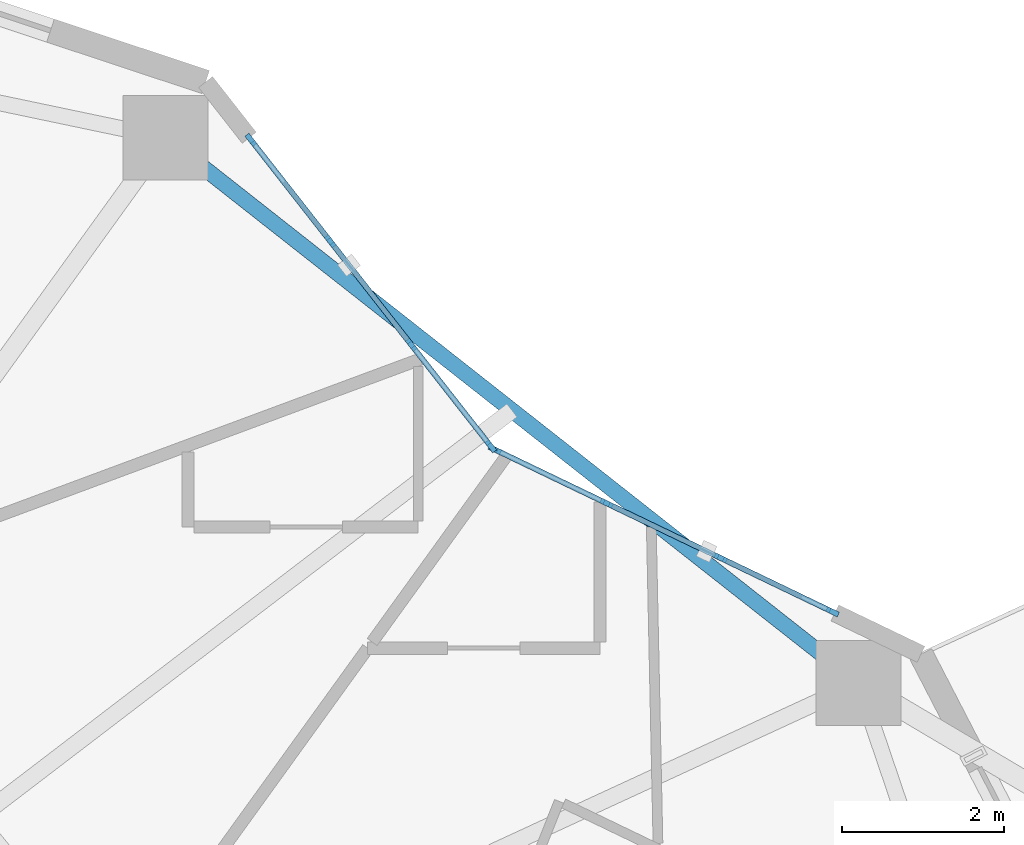
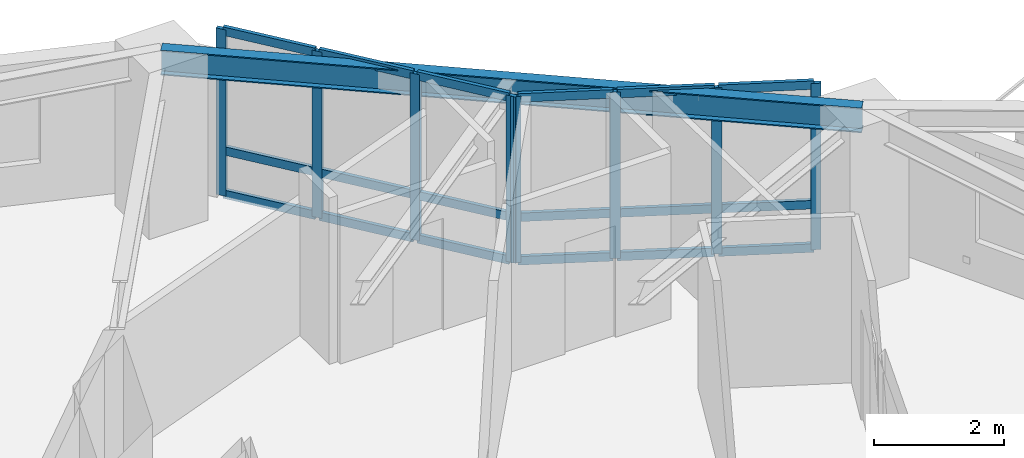
# One storey, part 4 of 15: 26 members, 1 beam, 2 elements without a shape of their own.
"""IFC4 building model written with IfcOpenShell, lengths in metres."""

from ifc_helpers import new_model, si_unit, direction, frame, origin, origin_2d, place, context, subcontext, project, spatial, rectangle, i_section, extrude, material, layer, layer_set, material_profile, profile_set, type_object, element, aggregate, save


model = new_model("IFC4")

# Units and contexts
model_context = context("Model", 3, precision=1e-05, world=origin(), true_north=direction((0.0, 1.0)))
body_context = subcontext(model_context, "Body", "Model", "MODEL_VIEW")
ifc_project = project(units=[si_unit("LENGTHUNIT", "METRE"), si_unit("AREAUNIT", "SQUARE_METRE"), si_unit("VOLUMEUNIT", "CUBIC_METRE"), si_unit("PLANEANGLEUNIT", "RADIAN"), si_unit("MASSUNIT", "GRAM", prefix="KILO")], contexts=[model_context])

# Site, building, storey
site_placement = place(None, origin())
site = spatial("IfcSite", under=ifc_project, at=site_placement, CompositionType="ELEMENT")
building_placement = place(site_placement, origin())
building = spatial("IfcBuilding", under=site, at=building_placement, Name="Kolvaren Gate Tower and Convention Centre", CompositionType="ELEMENT")
storey_placement = place(building_placement, frame((0.0, 0.0, 129.10009765625)))
storey = spatial("IfcBuildingStorey", under=building, at=storey_placement, Name="L32", CompositionType="ELEMENT", Elevation=129.10009765625)

# Curtain wall, members
ifc_material_1 = material(Name="Anodized Architectural Aluminium Alloy 6063-T6", Category="aluminium")
ifc_layer = layer(ifc_material_1, 0.159912109375)
ifc_layer_set = layer_set([ifc_layer], Name="Anodized Architectural Aluminium Alloy 6063-T6")
curtain_wall_type = type_object("IfcCurtainWallType", Name="CW-HTL-UNIT", PredefinedType="NOTDEFINED", material=ifc_layer_set)
curtain_wall_1_placement = place(storey_placement, origin())
curtain_wall_1 = element("IfcCurtainWall", 1, at=curtain_wall_1_placement, inside=storey, type_object=curtain_wall_type, Name="Tower L32 Unitised Curtain Wall CW-HTL-UNIT Bay 02", PredefinedType="NOTDEFINED")
ifc_material_profile_1 = material_profile(ifc_material_1, rectangle(XDim=0.06494140625, YDim=0.159912109375, at=origin_2d()), Name="CW-MEM-MUL-160")
ifc_profile_set_1 = profile_set([ifc_material_profile_1], Name="Anodized Architectural Aluminium Alloy 6063-T6")
member_type_1 = type_object("IfcMemberType", Name="CW-MEM-MUL-160", PredefinedType="MULLION", material=ifc_profile_set_1)
member_1_placement = place(storey_placement, frame((45.798095703125, 39.208984375, 0.0), z_axis=(0.0, 0.0, 1.0), x_axis=(0.433070515205, 0.901360043967, 0.0)))
member_1 = element("IfcMember", 2, at=member_1_placement, type_object=member_type_1, Name="CW-03 mullion 1", PredefinedType="MULLION", context=body_context, shape_type="SweptSolid", body=[
    extrude(rectangle(XDim=0.06494140625, YDim=0.159912109375, at=origin_2d()), origin(), (0.0, 0.0, 1.0), 3.1298828125),
])
member_2_placement = place(storey_placement, frame((47.181396484375, 38.544189453125, 0.0), z_axis=(0.0, 0.0, 1.0), x_axis=(0.433070515205, 0.901360043967, 0.0)))
member_2 = element("IfcMember", 3, at=member_2_placement, type_object=member_type_1, Name="CW-03 mullion 2", PredefinedType="MULLION", context=body_context, shape_type="SweptSolid", body=[
    extrude(rectangle(XDim=0.06494140625, YDim=0.159912109375, at=origin_2d()), origin(), (0.0, 0.0, 1.0), 3.1298828125),
])
member_3_placement = place(storey_placement, frame((48.59423828125, 37.865478515625, 0.0), z_axis=(0.0, 0.0, 1.0), x_axis=(0.433070515205, 0.901360043967, 0.0)))
member_3 = element("IfcMember", 4, at=member_3_placement, type_object=member_type_1, Name="CW-03 mullion 3", PredefinedType="MULLION", context=body_context, shape_type="SweptSolid", body=[
    extrude(rectangle(XDim=0.06494140625, YDim=0.159912109375, at=origin_2d()), origin(), (0.0, 0.0, 1.0), 3.1298828125),
])
member_4_placement = place(storey_placement, frame((49.9775390625, 37.20068359375, 0.0), z_axis=(0.0, 0.0, 1.0), x_axis=(0.433070515205, 0.901360043967, 0.0)))
member_4 = element("IfcMember", 5, at=member_4_placement, type_object=member_type_1, Name="CW-03 mullion 4", PredefinedType="MULLION", context=body_context, shape_type="SweptSolid", body=[
    extrude(rectangle(XDim=0.06494140625, YDim=0.159912109375, at=origin_2d()), origin(), (0.0, 0.0, 1.0), 3.1298828125),
])

curtain_wall_2_placement = place(storey_placement, origin())
curtain_wall_2 = element("IfcCurtainWall", 6, at=curtain_wall_2_placement, inside=storey, type_object=curtain_wall_type, Name="Tower L32 Unitised Curtain Wall CW-HTL-UNIT Bay 03", PredefinedType="NOTDEFINED")
member_5_placement = place(storey_placement, frame((42.77880859375, 43.042236328125, 0.0), z_axis=(0.0, 0.0, 1.0), x_axis=(0.787412940513, 0.616425876414, 0.0)))
member_5 = element("IfcMember", 7, at=member_5_placement, type_object=member_type_1, Name="CW-03 mullion 1", PredefinedType="MULLION", context=body_context, shape_type="SweptSolid", body=[
    extrude(rectangle(XDim=0.06494140625, YDim=0.159912109375, at=origin_2d()), origin(), (0.0, 0.0, 1.0), 3.1298828125),
])
member_6_placement = place(storey_placement, frame((43.76220703125, 41.7861328125, 0.0), z_axis=(0.0, 0.0, 1.0), x_axis=(0.787412940513, 0.616425876414, 0.0)))
member_6 = element("IfcMember", 8, at=member_6_placement, type_object=member_type_1, Name="CW-03 mullion 2", PredefinedType="MULLION", context=body_context, shape_type="SweptSolid", body=[
    extrude(rectangle(XDim=0.06494140625, YDim=0.159912109375, at=origin_2d()), origin(), (0.0, 0.0, 1.0), 3.1298828125),
])
member_7_placement = place(storey_placement, frame((44.765380859375, 40.504638671875, 0.0), z_axis=(0.0, 0.0, 1.0), x_axis=(0.787412940513, 0.616425876414, 0.0)))
member_7 = element("IfcMember", 9, at=member_7_placement, type_object=member_type_1, Name="CW-03 mullion 3", PredefinedType="MULLION", context=body_context, shape_type="SweptSolid", body=[
    extrude(rectangle(XDim=0.06494140625, YDim=0.159912109375, at=origin_2d()), origin(), (0.0, 0.0, 1.0), 3.1298828125),
])
member_8_placement = place(storey_placement, frame((45.748779296875, 39.24853515625, 0.0), z_axis=(0.0, 0.0, 1.0), x_axis=(0.787412940513, 0.616425876414, 0.0)))
member_8 = element("IfcMember", 10, at=member_8_placement, type_object=member_type_1, Name="CW-03 mullion 4", PredefinedType="MULLION", context=body_context, shape_type="SweptSolid", body=[
    extrude(rectangle(XDim=0.06494140625, YDim=0.159912109375, at=origin_2d()), origin(), (0.0, 0.0, 1.0), 3.1298828125),
])

# Member
ifc_material_profile_2 = material_profile(ifc_material_1, rectangle(XDim=0.06494140625, YDim=0.159912109375, at=origin_2d()), Name="CW-MEM-TRN-160")
ifc_profile_set_2 = profile_set([ifc_material_profile_2], Name="Anodized Architectural Aluminium Alloy 6063-T6")
member_type_2 = type_object("IfcMemberType", Name="CW-MEM-TRN-160", PredefinedType="USERDEFINED", material=ifc_profile_set_2)
member_9_placement = place(storey_placement, frame((45.827392578125, 39.19482421875, 0.032470703125), z_axis=(0.901359682886, -0.433071266731, 0.0), x_axis=(0.433071266731, 0.901359682886, 0.0)))
member_9 = element("IfcMember", 11, at=member_9_placement, type_object=member_type_2, Name="CW-03 transom 1.1", ObjectType="TRANSOM", PredefinedType="USERDEFINED", context=body_context, shape_type="SweptSolid", body=[
    extrude(rectangle(XDim=0.06494140625, YDim=0.159912109375, at=origin_2d()), origin(), (0.0, 0.0, 1.0), 1.4697265625),
])

member_10_placement = place(storey_placement, frame((45.827392578125, 39.19482421875, 0.849853515625), z_axis=(0.901359682886, -0.433071266731, 0.0), x_axis=(0.433071266731, 0.901359682886, 0.0)))
member_10 = element("IfcMember", 12, at=member_10_placement, type_object=member_type_2, Name="CW-03 transom 1.2", ObjectType="TRANSOM", PredefinedType="USERDEFINED", context=body_context, shape_type="SweptSolid", body=[
    extrude(rectangle(XDim=0.06494140625, YDim=0.159912109375, at=origin_2d()), origin(), (0.0, 0.0, 1.0), 1.4697265625),
])

member_11_placement = place(storey_placement, frame((45.827392578125, 39.19482421875, 3.097412109375), z_axis=(0.901359682886, -0.433071266731, 0.0), x_axis=(0.433071266731, 0.901359682886, 0.0)))
member_11 = element("IfcMember", 13, at=member_11_placement, type_object=member_type_2, Name="CW-03 transom 1.3", ObjectType="TRANSOM", PredefinedType="USERDEFINED", context=body_context, shape_type="SweptSolid", body=[
    extrude(rectangle(XDim=0.06494140625, YDim=0.159912109375, at=origin_2d()), origin(), (0.0, 0.0, 1.0), 1.4697265625),
])

member_12_placement = place(storey_placement, frame((47.210693359375, 38.5302734375, 0.032470703125), z_axis=(0.901368321762, -0.43305328601, 0.0), x_axis=(0.43305328601, 0.901368321762, 0.0)))
member_12 = element("IfcMember", 14, at=member_12_placement, type_object=member_type_2, Name="CW-03 transom 2.1", ObjectType="TRANSOM", PredefinedType="USERDEFINED", context=body_context, shape_type="SweptSolid", body=[
    extrude(rectangle(XDim=0.06494140625, YDim=0.159912109375, at=origin_2d()), origin(), (0.0, 0.0, 1.0), 1.50244140625),
])

member_13_placement = place(storey_placement, frame((47.210693359375, 38.5302734375, 0.849853515625), z_axis=(0.901368321762, -0.43305328601, 0.0), x_axis=(0.43305328601, 0.901368321762, 0.0)))
member_13 = element("IfcMember", 15, at=member_13_placement, type_object=member_type_2, Name="CW-03 transom 2.2", ObjectType="TRANSOM", PredefinedType="USERDEFINED", context=body_context, shape_type="SweptSolid", body=[
    extrude(rectangle(XDim=0.06494140625, YDim=0.159912109375, at=origin_2d()), origin(), (0.0, 0.0, 1.0), 1.50244140625),
])

member_14_placement = place(storey_placement, frame((47.210693359375, 38.5302734375, 3.097412109375), z_axis=(0.901368321762, -0.43305328601, 0.0), x_axis=(0.43305328601, 0.901368321762, 0.0)))
member_14 = element("IfcMember", 16, at=member_14_placement, type_object=member_type_2, Name="CW-03 transom 2.3", ObjectType="TRANSOM", PredefinedType="USERDEFINED", context=body_context, shape_type="SweptSolid", body=[
    extrude(rectangle(XDim=0.06494140625, YDim=0.159912109375, at=origin_2d()), origin(), (0.0, 0.0, 1.0), 1.50244140625),
])

member_15_placement = place(storey_placement, frame((48.62353515625, 37.851318359375, 0.032470703125), z_axis=(0.901359682886, -0.433071266731, 0.0), x_axis=(0.433071266731, 0.901359682886, 0.0)))
member_15 = element("IfcMember", 17, at=member_15_placement, type_object=member_type_2, Name="CW-03 transom 3.1", ObjectType="TRANSOM", PredefinedType="USERDEFINED", context=body_context, shape_type="SweptSolid", body=[
    extrude(rectangle(XDim=0.06494140625, YDim=0.159912109375, at=origin_2d()), origin(), (0.0, 0.0, 1.0), 1.4697265625),
])

member_16_placement = place(storey_placement, frame((48.62353515625, 37.851318359375, 0.849853515625), z_axis=(0.901359682886, -0.433071266731, 0.0), x_axis=(0.433071266731, 0.901359682886, 0.0)))
member_16 = element("IfcMember", 18, at=member_16_placement, type_object=member_type_2, Name="CW-03 transom 3.2", ObjectType="TRANSOM", PredefinedType="USERDEFINED", context=body_context, shape_type="SweptSolid", body=[
    extrude(rectangle(XDim=0.06494140625, YDim=0.159912109375, at=origin_2d()), origin(), (0.0, 0.0, 1.0), 1.4697265625),
])

member_17_placement = place(storey_placement, frame((48.62353515625, 37.851318359375, 3.097412109375), z_axis=(0.901359682886, -0.433071266731, 0.0), x_axis=(0.433071266731, 0.901359682886, 0.0)))
member_17 = element("IfcMember", 19, at=member_17_placement, type_object=member_type_2, Name="CW-03 transom 3.3", ObjectType="TRANSOM", PredefinedType="USERDEFINED", context=body_context, shape_type="SweptSolid", body=[
    extrude(rectangle(XDim=0.06494140625, YDim=0.159912109375, at=origin_2d()), origin(), (0.0, 0.0, 1.0), 1.4697265625),
])

aggregate(curtain_wall_1, [member_1, member_2, member_3, member_4, member_9, member_10, member_11, member_12, member_13, member_14, member_15, member_16, member_17])

member_18_placement = place(storey_placement, frame((42.798828125, 43.0166015625, 0.032470703125), z_axis=(0.616488928006, -0.78736357653, 0.0), x_axis=(0.78736357653, 0.616488928006, 0.0)))
member_18 = element("IfcMember", 20, at=member_18_placement, type_object=member_type_2, Name="CW-03 transom 1.1", ObjectType="TRANSOM", PredefinedType="USERDEFINED", context=body_context, shape_type="SweptSolid", body=[
    extrude(rectangle(XDim=0.06494140625, YDim=0.159912109375, at=origin_2d()), origin(), (0.0, 0.0, 1.0), 1.5302734375),
])

member_19_placement = place(storey_placement, frame((42.798828125, 43.0166015625, 0.849853515625), z_axis=(0.616488928006, -0.78736357653, 0.0), x_axis=(0.78736357653, 0.616488928006, 0.0)))
member_19 = element("IfcMember", 21, at=member_19_placement, type_object=member_type_2, Name="CW-03 transom 1.2", ObjectType="TRANSOM", PredefinedType="USERDEFINED", context=body_context, shape_type="SweptSolid", body=[
    extrude(rectangle(XDim=0.06494140625, YDim=0.159912109375, at=origin_2d()), origin(), (0.0, 0.0, 1.0), 1.5302734375),
])

member_20_placement = place(storey_placement, frame((42.798828125, 43.0166015625, 3.097412109375), z_axis=(0.616488928006, -0.78736357653, 0.0), x_axis=(0.78736357653, 0.616488928006, 0.0)))
member_20 = element("IfcMember", 22, at=member_20_placement, type_object=member_type_2, Name="CW-03 transom 1.3", ObjectType="TRANSOM", PredefinedType="USERDEFINED", context=body_context, shape_type="SweptSolid", body=[
    extrude(rectangle(XDim=0.06494140625, YDim=0.159912109375, at=origin_2d()), origin(), (0.0, 0.0, 1.0), 1.5302734375),
])

member_21_placement = place(storey_placement, frame((43.7822265625, 41.760498046875, 0.032470703125), z_axis=(0.616447292669, -0.787396174337, 0.0), x_axis=(0.787396174337, 0.616447292669, 0.0)))
member_21 = element("IfcMember", 23, at=member_21_placement, type_object=member_type_2, Name="CW-03 transom 2.1", ObjectType="TRANSOM", PredefinedType="USERDEFINED", context=body_context, shape_type="SweptSolid", body=[
    extrude(rectangle(XDim=0.06494140625, YDim=0.159912109375, at=origin_2d()), origin(), (0.0, 0.0, 1.0), 1.5625),
])

member_22_placement = place(storey_placement, frame((43.7822265625, 41.760498046875, 0.849853515625), z_axis=(0.616447292669, -0.787396174337, 0.0), x_axis=(0.787396174337, 0.616447292669, 0.0)))
member_22 = element("IfcMember", 24, at=member_22_placement, type_object=member_type_2, Name="CW-03 transom 2.2", ObjectType="TRANSOM", PredefinedType="USERDEFINED", context=body_context, shape_type="SweptSolid", body=[
    extrude(rectangle(XDim=0.06494140625, YDim=0.159912109375, at=origin_2d()), origin(), (0.0, 0.0, 1.0), 1.5625),
])

member_23_placement = place(storey_placement, frame((43.7822265625, 41.760498046875, 3.097412109375), z_axis=(0.616447292669, -0.787396174337, 0.0), x_axis=(0.787396174337, 0.616447292669, 0.0)))
member_23 = element("IfcMember", 25, at=member_23_placement, type_object=member_type_2, Name="CW-03 transom 2.3", ObjectType="TRANSOM", PredefinedType="USERDEFINED", context=body_context, shape_type="SweptSolid", body=[
    extrude(rectangle(XDim=0.06494140625, YDim=0.159912109375, at=origin_2d()), origin(), (0.0, 0.0, 1.0), 1.5625),
])

member_24_placement = place(storey_placement, frame((44.785400390625, 40.47900390625, 0.032470703125), z_axis=(0.61639000373, -0.78744102211, 0.0), x_axis=(0.78744102211, 0.61639000373, 0.0)))
member_24 = element("IfcMember", 26, at=member_24_placement, type_object=member_type_2, Name="CW-03 transom 3.1", ObjectType="TRANSOM", PredefinedType="USERDEFINED", context=body_context, shape_type="SweptSolid", body=[
    extrude(rectangle(XDim=0.06494140625, YDim=0.159912109375, at=origin_2d()), origin(), (0.0, 0.0, 1.0), 1.530029296875),
])

member_25_placement = place(storey_placement, frame((44.785400390625, 40.47900390625, 0.849853515625), z_axis=(0.61639000373, -0.78744102211, 0.0), x_axis=(0.78744102211, 0.61639000373, 0.0)))
member_25 = element("IfcMember", 27, at=member_25_placement, type_object=member_type_2, Name="CW-03 transom 3.2", ObjectType="TRANSOM", PredefinedType="USERDEFINED", context=body_context, shape_type="SweptSolid", body=[
    extrude(rectangle(XDim=0.06494140625, YDim=0.159912109375, at=origin_2d()), origin(), (0.0, 0.0, 1.0), 1.530029296875),
])

member_26_placement = place(storey_placement, frame((44.785400390625, 40.47900390625, 3.097412109375), z_axis=(0.61639000373, -0.78744102211, 0.0), x_axis=(0.78744102211, 0.61639000373, 0.0)))
member_26 = element("IfcMember", 28, at=member_26_placement, type_object=member_type_2, Name="CW-03 transom 3.3", ObjectType="TRANSOM", PredefinedType="USERDEFINED", context=body_context, shape_type="SweptSolid", body=[
    extrude(rectangle(XDim=0.06494140625, YDim=0.159912109375, at=origin_2d()), origin(), (0.0, 0.0, 1.0), 1.530029296875),
])

aggregate(curtain_wall_2, [member_5, member_6, member_7, member_8, member_18, member_19, member_20, member_21, member_22, member_23, member_24, member_25, member_26])

# Beam
ifc_material_2 = material(Name="Structural steel ASTM A992 Grade 345 MPa", Category="steel")
ifc_material_profile_3 = material_profile(ifc_material_2, i_section(OverallWidth=0.194091796875, OverallDepth=0.468994140625, WebThickness=0.0126953125, FlangeThickness=0.0205078125, at=origin_2d()), Name="W460X106")
ifc_profile_set_3 = profile_set([ifc_material_profile_3], Name="Structural steel ASTM A992 Grade 345 MPa")
beam_type = type_object("IfcBeamType", Name="STR-SP-W460X106", PredefinedType="SPANDREL", material=ifc_profile_set_3)
beam_placement = place(storey_placement, frame((50.30029296875, 36.318603515625, 2.8955078125), z_axis=(-0.785907610354, 0.618343939881, 0.0), x_axis=(-0.618343939881, -0.785907610354, 0.0)))
element("IfcBeam", 29, at=beam_placement, inside=storey, type_object=beam_type, Name="Tower L32 Perimeter Spandrel Beam SP-02", PredefinedType="SPANDREL", context=body_context, shape_type="SweptSolid", body=[
    extrude(i_section(OverallWidth=0.194091796875, OverallDepth=0.468994140625, WebThickness=0.0126953125, FlangeThickness=0.0205078125, at=origin_2d()), origin(), (0.0, 0.0, 1.0), 10.915771484375),
])

save(model, "model.ifc")
